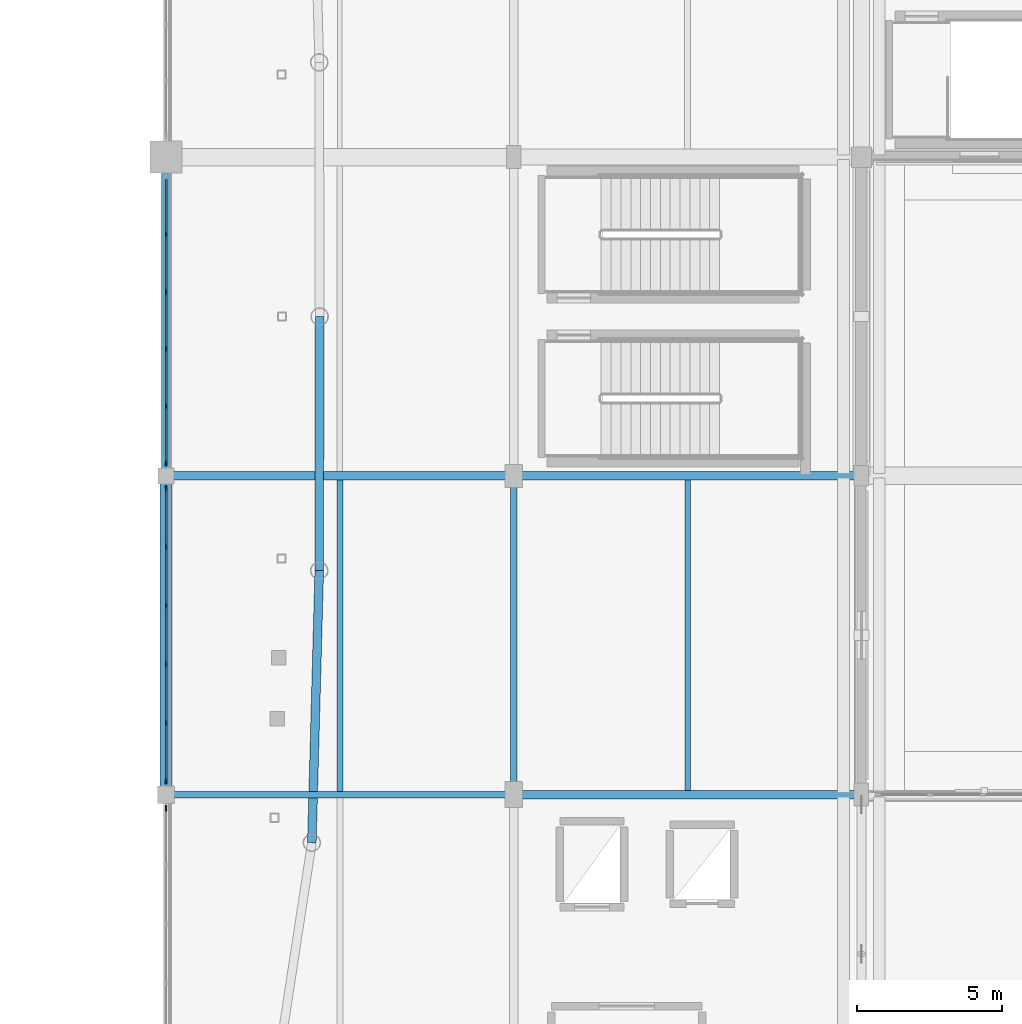
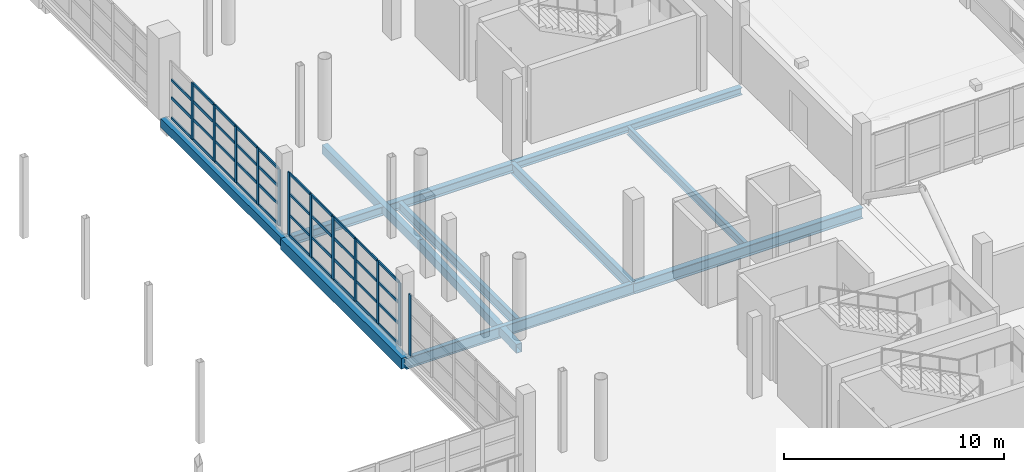
# One storey, part 54 of 118: 51 members, 11 beams, 3 elements without a shape of their own.
"""IFC4 building model written with IfcOpenShell, lengths in metres."""

import ifcopenshell
import ifcopenshell.guid

model = None  # the IFC model being written
_history = None  # IfcOwnerHistory: only IFC2X3 demands one
_inside = {}  # id of a spatial element -> (the spatial element, [elements in it])
_under = {}  # id of a project, library or spatial element -> (it, [spatial elements below it])
_declared = {}  # id of a project -> (the project, [libraries it declares])
_typed = {}  # id of a type object -> (the type object, [elements of that type])
_made_of = {}  # id of a material, layer set ... -> (it, [elements and type objects made of it])


def new_model(schema):
    """Start an empty IFC model of exactly this schema.

    Asked for "IFC4X3", IfcOpenShell would pick the latest addendum, in which some entities
    have other attributes; the version numbers below select the first issue.
    IFC2X3 requires an IfcOwnerHistory on every rooted entity: one is made here for all.
    """
    global model, _history
    if schema == "IFC4X3":
        model = ifcopenshell.file(schema_version=(4, 3, 0, 0))
    else:
        model = ifcopenshell.file(schema=schema)
    _inside.clear()
    _under.clear()
    _declared.clear()
    _typed.clear()
    _made_of.clear()
    _history = None
    if model.schema == "IFC2X3":
        org = make("IfcOrganization", Name="unknown")
        user = make(
            "IfcPersonAndOrganization",
            ThePerson=make("IfcPerson", FamilyName="unknown"),
            TheOrganization=org,
        )
        app = make(
            "IfcApplication",
            ApplicationDeveloper=org,
            Version="unknown",
            ApplicationFullName="unknown",
            ApplicationIdentifier="unknown",
        )
        _history = make(
            "IfcOwnerHistory",
            OwningUser=user,
            OwningApplication=app,
            ChangeAction="ADDED",
            CreationDate=0,
        )
    return model


def make(cls, **values):
    """One entity of the class cls with the attributes given. An attribute that is None is left unset."""
    return model.create_entity(
        cls, **{name: value for name, value in values.items() if value is not None}
    )


def rooted(cls, **values):
    """An entity with a GlobalId (a new one), such as an element, a storey or a relation."""
    return make(cls, GlobalId=ifcopenshell.guid.new(), OwnerHistory=_history, **values)


def si_unit(unit_type, name, prefix=None):
    """IfcSIUnit, for example si_unit("LENGTHUNIT", "METRE", prefix="MILLI")."""
    return make("IfcSIUnit", UnitType=unit_type, Prefix=prefix, Name=name)


def assignment(units):
    """IfcUnitAssignment: the units of a project."""
    return None if units is None else make("IfcUnitAssignment", Units=units)


def point(xyz):
    """IfcCartesianPoint."""
    return None if xyz is None else make("IfcCartesianPoint", Coordinates=xyz)


def direction(xyz):
    """IfcDirection."""
    return None if xyz is None else make("IfcDirection", DirectionRatios=xyz)


def frame(location, z_axis=None, x_axis=None):
    """IfcAxis2Placement3D, a coordinate frame: its origin and axes. An axis left out is left unset."""
    return make(
        "IfcAxis2Placement3D",
        Location=point(location),
        Axis=direction(z_axis),
        RefDirection=direction(x_axis),
    )


def frame_2d(location, x_axis=None):
    """IfcAxis2Placement2D, a coordinate frame in the plane: its origin and x axis."""
    return make(
        "IfcAxis2Placement2D", Location=point(location), RefDirection=direction(x_axis)
    )


def origin():
    """The frame at (0, 0, 0) with its axes left unset."""
    return frame((0.0, 0.0, 0.0))


def origin_2d():
    """The frame at (0, 0) in the plane with its x axis left unset."""
    return frame_2d((0.0, 0.0))


def place(relative_to, where):
    """IfcLocalPlacement: puts the frame where relative to a parent placement (None: the world)."""
    return make(
        "IfcLocalPlacement", PlacementRelTo=relative_to, RelativePlacement=where
    )


def context(
    kind, dimensions, precision=None, world=None, true_north=None, identifier=None
):
    """IfcGeometricRepresentationContext, for example the 3D "Model" context."""
    return make(
        "IfcGeometricRepresentationContext",
        ContextIdentifier=identifier,
        ContextType=kind,
        CoordinateSpaceDimension=dimensions,
        Precision=precision,
        WorldCoordinateSystem=world,
        TrueNorth=true_north,
    )


def subcontext(parent, identifier, kind, view, scale=None):
    """IfcGeometricRepresentationSubContext, for example "Body" below "Model"."""
    return make(
        "IfcGeometricRepresentationSubContext",
        ContextIdentifier=identifier,
        ContextType=kind,
        ParentContext=parent,
        TargetScale=scale,
        TargetView=view,
    )


def project(units=None, contexts=None):
    """IfcProject with its units and contexts."""
    return rooted(
        "IfcProject",
        Name="project",
        RepresentationContexts=contexts,
        UnitsInContext=assignment(units),
    )


def spatial(cls, under=None, at=None, **own):
    """A site, building, storey or space (cls), placed at a placement, below another one or the project."""
    s = rooted(cls, ObjectPlacement=at, **own)
    if under is not None:
        _under.setdefault(under.id(), (under, []))[1].append(s)
    return s


def profile(cls, at=None, kind="AREA", **sizes):
    """A parametric profile (cls). Its sizes go by their IFC names, for example OverallWidth=200.0."""
    return make(cls, ProfileType=kind, Position=at, **sizes)


def rectangle(**sizes):
    """IfcRectangleProfileDef."""
    return profile("IfcRectangleProfileDef", **sizes)


def hollow_rectangle(**sizes):
    """IfcRectangleHollowProfileDef."""
    return profile("IfcRectangleHollowProfileDef", **sizes)


def i_section(**sizes):
    """IfcIShapeProfileDef."""
    return profile("IfcIShapeProfileDef", **sizes)


def extrude(swept, where, along, depth):
    """IfcExtrudedAreaSolid: the profile swept, set in the frame where, extruded along a direction by depth."""
    return make(
        "IfcExtrudedAreaSolid",
        SweptArea=swept,
        Position=where,
        ExtrudedDirection=direction(along),
        Depth=depth,
    )


def shape(context_of_items, identifier, shape_type, items):
    """IfcShapeRepresentation: the items that make up one representation, for example the "Body"."""
    return make(
        "IfcShapeRepresentation",
        ContextOfItems=context_of_items,
        RepresentationIdentifier=identifier,
        RepresentationType=shape_type,
        Items=items,
    )


def material(Name=None, Category=None):
    """IfcMaterial."""
    return make("IfcMaterial", Name=Name, Category=Category)


def material_profile(
    of_material, cross_section, Name=None, Category=None, Priority=None
):
    """IfcMaterialProfile: a cross section and its material."""
    return make(
        "IfcMaterialProfile",
        Name=Name,
        Material=of_material,
        Profile=cross_section,
        Priority=Priority,
        Category=Category,
    )


def profile_set(profiles, Name=None, composite=None):
    """IfcMaterialProfileSet."""
    return make(
        "IfcMaterialProfileSet",
        Name=Name,
        MaterialProfiles=profiles,
        CompositeProfile=composite,
    )


def made_of(thing, what):
    """Note that an element or type object is made of a material, layer set ...; save() writes the relation."""
    if what is not None:
        _made_of.setdefault(what.id(), (what, []))[1].append(thing)
    return thing


def type_object(cls, material=None, **own):
    """A type object (cls), such as IfcWallType, which elements share."""
    return made_of(rooted(cls, **own), material)


def element(
    cls,
    number,
    at=None,
    inside=None,
    cuts=None,
    type_object=None,
    material=None,
    context=None,
    identifier="Body",
    shape_type=None,
    held_by="IfcProductDefinitionShape",
    body=None,
    shapes=None,
    **own,
):
    """One element of the class cls, such as IfcWall. Its Tag is "e" and its number.

    at: its placement. inside: the storey or other place that contains it. cuts: it is an
    opening in that element (IfcRelVoidsElement). A single representation is given by context,
    identifier, shape_type and body (its items); several are given by shapes. held_by: the class
    of the entity that holds the representations. save() writes the other relations.
    """
    e = rooted(cls, Tag="e%d" % number, ObjectPlacement=at, **own)
    if body is not None:
        shapes = [shape(context, identifier, shape_type, body)]
    if shapes is not None:
        e.Representation = make(held_by, Representations=shapes)
    if inside is not None:
        _inside.setdefault(inside.id(), (inside, []))[1].append(e)
    if cuts is not None:
        rooted(
            "IfcRelVoidsElement", RelatingBuildingElement=cuts, RelatedOpeningElement=e
        )
    if type_object is not None:
        _typed.setdefault(type_object.id(), (type_object, []))[1].append(e)
    return made_of(e, material)


def aggregate(whole, parts):
    """IfcRelAggregates: a whole, such as a stair, and the parts it consists of."""
    return rooted("IfcRelAggregates", RelatingObject=whole, RelatedObjects=parts)


def save(model, path):
    """Write the relations noted so far, then the file.

    IfcRelAggregates (storeys below a building ...), IfcRelContainedInSpatialStructure (elements
    in a storey), IfcRelDefinesByType, IfcRelAssociatesMaterial and IfcRelDeclares: one each for
    every whole, place, type object, material and project.
    """
    for whole, parts in _under.values():
        aggregate(whole, parts)
    for where, things in _inside.values():
        rooted(
            "IfcRelContainedInSpatialStructure",
            RelatedElements=things,
            RelatingStructure=where,
        )
    for kind, things in _typed.values():
        rooted("IfcRelDefinesByType", RelatedObjects=things, RelatingType=kind)
    for what, things in _made_of.values():
        rooted("IfcRelAssociatesMaterial", RelatedObjects=things, RelatingMaterial=what)
    for by, libraries in _declared.values():
        rooted("IfcRelDeclares", RelatingContext=by, RelatedDefinitions=libraries)
    model.write(path)


model = new_model("IFC4")

# Units and contexts
model_context = context("Model", 3, precision=1e-05, world=origin(), true_north=direction((0.0, 1.0)))
body_context = subcontext(model_context, "Body", "Model", "MODEL_VIEW")
ifc_project = project(units=[si_unit("LENGTHUNIT", "METRE"), si_unit("AREAUNIT", "SQUARE_METRE"), si_unit("VOLUMEUNIT", "CUBIC_METRE"), si_unit("PLANEANGLEUNIT", "RADIAN"), si_unit("MASSUNIT", "GRAM", prefix="KILO")], contexts=[model_context])

# Site, building, storey
site_placement = place(None, origin())
site = spatial("IfcSite", under=ifc_project, at=site_placement, CompositionType="ELEMENT")
building_placement = place(site_placement, origin())
building = spatial("IfcBuilding", under=site, at=building_placement, Name="Luwafu Chhajja Arena", CompositionType="ELEMENT")
storey_placement = place(building_placement, frame((0.0, 0.0, 10.199951171875)))
storey = spatial("IfcBuildingStorey", under=building, at=storey_placement, Name="L02", CompositionType="ELEMENT", Elevation=10.199951171875)

# Curtain wall, member
ifc_material_1 = material(Name="Anodised bronze aluminium", Category="aluminium")
curtain_wall_type = type_object("IfcCurtainWallType", Name="Hospitality Ring Curtain Wall", PredefinedType="USERDEFINED", material=ifc_material_1)
curtain_wall_1_placement = place(storey_placement, origin())
curtain_wall_1 = element("IfcCurtainWall", 1, at=curtain_wall_1_placement, inside=storey, type_object=curtain_wall_type, Name="L02 Bowl Viewing Curtain Wall CWR-L02-20", ObjectType="CURTAIN WALL", PredefinedType="USERDEFINED")
ifc_material_profile_1 = material_profile(ifc_material_1, rectangle(XDim=0.06494140625, YDim=0.199951171875, at=origin_2d()), Name="CWM 65x200")
ifc_profile_set_1 = profile_set([ifc_material_profile_1], Name="Anodised bronze aluminium")
member_type_1 = type_object("IfcMemberType", Name="Bronze Curtain Wall Mullion 65x200", PredefinedType="MULLION", material=ifc_profile_set_1)
member_1_placement = place(storey_placement, frame((140.0, 32.527587890625, 0.0), z_axis=(0.0, 0.0, 1.0), x_axis=(-1.0, 0.0, 0.0)))
member_1 = element("IfcMember", 2, at=member_1_placement, type_object=member_type_1, Name="CW-02 mullion 6", PredefinedType="MULLION", context=body_context, shape_type="SweptSolid", body=[
    extrude(rectangle(XDim=0.06494140625, YDim=0.199951171875, at=origin_2d()), origin(), (0.0, 0.0, 1.0), 3.39013671875),
])
aggregate(curtain_wall_1, [member_1])

# Curtain wall, members
curtain_wall_2_placement = place(storey_placement, origin())
curtain_wall_2 = element("IfcCurtainWall", 3, at=curtain_wall_2_placement, inside=storey, type_object=curtain_wall_type, Name="L02 Bowl Viewing Curtain Wall CWR-L02-21", ObjectType="CURTAIN WALL", PredefinedType="USERDEFINED")
member_2_placement = place(storey_placement, frame((140.0, 33.472412109375, 0.0), z_axis=(0.0, 0.0, 1.0), x_axis=(-1.0, 0.0, 0.0)))
member_2 = element("IfcMember", 4, at=member_2_placement, type_object=member_type_1, Name="CW-02 mullion 1", PredefinedType="MULLION", context=body_context, shape_type="SweptSolid", body=[
    extrude(rectangle(XDim=0.06494140625, YDim=0.199951171875, at=origin_2d()), origin(), (0.0, 0.0, 1.0), 3.489990234375),
])
member_3_placement = place(storey_placement, frame((140.0, 35.468994140625, 0.0), z_axis=(0.0, 0.0, 1.0), x_axis=(-1.0, 0.0, 0.0)))
member_3 = element("IfcMember", 5, at=member_3_placement, type_object=member_type_1, Name="CW-02 mullion 2", PredefinedType="MULLION", context=body_context, shape_type="SweptSolid", body=[
    extrude(rectangle(XDim=0.06494140625, YDim=0.199951171875, at=origin_2d()), origin(), (0.0, 0.0, 1.0), 3.489990234375),
])
member_4_placement = place(storey_placement, frame((140.0, 37.498046875, 0.0), z_axis=(0.0, 0.0, 1.0), x_axis=(-1.0, 0.0, 0.0)))
member_4 = element("IfcMember", 6, at=member_4_placement, type_object=member_type_1, Name="CW-02 mullion 3", PredefinedType="MULLION", context=body_context, shape_type="SweptSolid", body=[
    extrude(rectangle(XDim=0.06494140625, YDim=0.199951171875, at=origin_2d()), origin(), (0.0, 0.0, 1.0), 3.489990234375),
])
member_5_placement = place(storey_placement, frame((140.0, 39.527099609375, 0.0), z_axis=(0.0, 0.0, 1.0), x_axis=(-1.0, 0.0, 0.0)))
member_5 = element("IfcMember", 7, at=member_5_placement, type_object=member_type_1, Name="CW-02 mullion 4", PredefinedType="MULLION", context=body_context, shape_type="SweptSolid", body=[
    extrude(rectangle(XDim=0.06494140625, YDim=0.199951171875, at=origin_2d()), origin(), (0.0, 0.0, 1.0), 3.489990234375),
])
member_6_placement = place(storey_placement, frame((140.0, 41.555908203125, 0.0), z_axis=(0.0, 0.0, 1.0), x_axis=(-1.0, 0.0, 0.0)))
member_6 = element("IfcMember", 8, at=member_6_placement, type_object=member_type_1, Name="CW-02 mullion 5", PredefinedType="MULLION", context=body_context, shape_type="SweptSolid", body=[
    extrude(rectangle(XDim=0.06494140625, YDim=0.199951171875, at=origin_2d()), origin(), (0.0, 0.0, 1.0), 3.489990234375),
])
member_7_placement = place(storey_placement, frame((140.0, 43.552490234375, 0.0), z_axis=(0.0, 0.0, 1.0), x_axis=(-1.0, 0.0, 0.0)))
member_7 = element("IfcMember", 9, at=member_7_placement, type_object=member_type_1, Name="CW-02 mullion 6", PredefinedType="MULLION", context=body_context, shape_type="SweptSolid", body=[
    extrude(rectangle(XDim=0.06494140625, YDim=0.199951171875, at=origin_2d()), origin(), (0.0, 0.0, 1.0), 3.489990234375),
])

curtain_wall_3_placement = place(storey_placement, origin())
curtain_wall_3 = element("IfcCurtainWall", 10, at=curtain_wall_3_placement, inside=storey, type_object=curtain_wall_type, Name="L02 Bowl Viewing Curtain Wall CWR-L02-22", ObjectType="CURTAIN WALL", PredefinedType="USERDEFINED")
member_8_placement = place(storey_placement, frame((140.0, 44.447509765625, 0.0), z_axis=(0.0, 0.0, 1.0), x_axis=(-1.0, 0.0, 0.0)))
member_8 = element("IfcMember", 11, at=member_8_placement, type_object=member_type_1, Name="CW-02 mullion 1", PredefinedType="MULLION", context=body_context, shape_type="SweptSolid", body=[
    extrude(rectangle(XDim=0.06494140625, YDim=0.199951171875, at=origin_2d()), origin(), (0.0, 0.0, 1.0), 3.14013671875),
])
member_9_placement = place(storey_placement, frame((140.0, 46.39404296875, 0.0), z_axis=(0.0, 0.0, 1.0), x_axis=(-1.0, 0.0, 0.0)))
member_9 = element("IfcMember", 12, at=member_9_placement, type_object=member_type_1, Name="CW-02 mullion 2", PredefinedType="MULLION", context=body_context, shape_type="SweptSolid", body=[
    extrude(rectangle(XDim=0.06494140625, YDim=0.199951171875, at=origin_2d()), origin(), (0.0, 0.0, 1.0), 3.14013671875),
])
member_10_placement = place(storey_placement, frame((140.0, 48.373046875, 0.0), z_axis=(0.0, 0.0, 1.0), x_axis=(-1.0, 0.0, 0.0)))
member_10 = element("IfcMember", 13, at=member_10_placement, type_object=member_type_1, Name="CW-02 mullion 3", PredefinedType="MULLION", context=body_context, shape_type="SweptSolid", body=[
    extrude(rectangle(XDim=0.06494140625, YDim=0.199951171875, at=origin_2d()), origin(), (0.0, 0.0, 1.0), 3.14013671875),
])
member_11_placement = place(storey_placement, frame((140.0, 50.35205078125, 0.0), z_axis=(0.0, 0.0, 1.0), x_axis=(-1.0, 0.0, 0.0)))
member_11 = element("IfcMember", 14, at=member_11_placement, type_object=member_type_1, Name="CW-02 mullion 4", PredefinedType="MULLION", context=body_context, shape_type="SweptSolid", body=[
    extrude(rectangle(XDim=0.06494140625, YDim=0.199951171875, at=origin_2d()), origin(), (0.0, 0.0, 1.0), 3.14013671875),
])
member_12_placement = place(storey_placement, frame((140.0, 52.3310546875, 0.0), z_axis=(0.0, 0.0, 1.0), x_axis=(-1.0, 0.0, 0.0)))
member_12 = element("IfcMember", 15, at=member_12_placement, type_object=member_type_1, Name="CW-02 mullion 5", PredefinedType="MULLION", context=body_context, shape_type="SweptSolid", body=[
    extrude(rectangle(XDim=0.06494140625, YDim=0.199951171875, at=origin_2d()), origin(), (0.0, 0.0, 1.0), 3.14013671875),
])

# Member
ifc_material_profile_2 = material_profile(ifc_material_1, rectangle(XDim=0.06494140625, YDim=0.14990234375, at=origin_2d()), Name="CWT 65x150")
ifc_profile_set_2 = profile_set([ifc_material_profile_2], Name="Anodised bronze aluminium")
member_type_2 = type_object("IfcMemberType", Name="Bronze Curtain Wall Transom 65x150", PredefinedType="USERDEFINED", material=ifc_profile_set_2)
member_13_placement = place(storey_placement, frame((140.0, 33.5048828125, 0.032470703125), z_axis=(0.0, 1.0, 0.0), x_axis=(-1.0, 0.0, 0.0)))
member_13 = element("IfcMember", 16, at=member_13_placement, type_object=member_type_2, Name="CW-02 transom 1.1", ObjectType="TRANSOM", PredefinedType="USERDEFINED", context=body_context, shape_type="SweptSolid", body=[
    extrude(rectangle(XDim=0.06494140625, YDim=0.14990234375, at=origin_2d()), origin(), (0.0, 0.0, 1.0), 1.931640625),
])

member_14_placement = place(storey_placement, frame((140.0, 33.5048828125, 1.150146484375), z_axis=(0.0, 1.0, 0.0), x_axis=(-1.0, 0.0, 0.0)))
member_14 = element("IfcMember", 17, at=member_14_placement, type_object=member_type_2, Name="CW-02 transom 1.2", ObjectType="TRANSOM", PredefinedType="USERDEFINED", context=body_context, shape_type="SweptSolid", body=[
    extrude(rectangle(XDim=0.06494140625, YDim=0.14990234375, at=origin_2d()), origin(), (0.0, 0.0, 1.0), 1.931640625),
])

member_15_placement = place(storey_placement, frame((140.0, 33.5048828125, 2.320068359375), z_axis=(0.0, 1.0, 0.0), x_axis=(-1.0, 0.0, 0.0)))
member_15 = element("IfcMember", 18, at=member_15_placement, type_object=member_type_2, Name="CW-02 transom 1.3", ObjectType="TRANSOM", PredefinedType="USERDEFINED", context=body_context, shape_type="SweptSolid", body=[
    extrude(rectangle(XDim=0.06494140625, YDim=0.14990234375, at=origin_2d()), origin(), (0.0, 0.0, 1.0), 1.931640625),
])

member_16_placement = place(storey_placement, frame((140.0, 33.5048828125, 3.45751953125), z_axis=(0.0, 1.0, 0.0), x_axis=(-1.0, 0.0, 0.0)))
member_16 = element("IfcMember", 19, at=member_16_placement, type_object=member_type_2, Name="CW-02 transom 1.4", ObjectType="TRANSOM", PredefinedType="USERDEFINED", context=body_context, shape_type="SweptSolid", body=[
    extrude(rectangle(XDim=0.06494140625, YDim=0.14990234375, at=origin_2d()), origin(), (0.0, 0.0, 1.0), 1.931640625),
])

member_17_placement = place(storey_placement, frame((140.0, 35.50146484375, 0.032470703125), z_axis=(0.0, 1.0, 0.0), x_axis=(-1.0, 0.0, 0.0)))
member_17 = element("IfcMember", 20, at=member_17_placement, type_object=member_type_2, Name="CW-02 transom 2.1", ObjectType="TRANSOM", PredefinedType="USERDEFINED", context=body_context, shape_type="SweptSolid", body=[
    extrude(rectangle(XDim=0.06494140625, YDim=0.14990234375, at=origin_2d()), origin(), (0.0, 0.0, 1.0), 1.964111328125),
])

member_18_placement = place(storey_placement, frame((140.0, 35.50146484375, 1.150146484375), z_axis=(0.0, 1.0, 0.0), x_axis=(-1.0, 0.0, 0.0)))
member_18 = element("IfcMember", 21, at=member_18_placement, type_object=member_type_2, Name="CW-02 transom 2.2", ObjectType="TRANSOM", PredefinedType="USERDEFINED", context=body_context, shape_type="SweptSolid", body=[
    extrude(rectangle(XDim=0.06494140625, YDim=0.14990234375, at=origin_2d()), origin(), (0.0, 0.0, 1.0), 1.964111328125),
])

member_19_placement = place(storey_placement, frame((140.0, 35.50146484375, 2.320068359375), z_axis=(0.0, 1.0, 0.0), x_axis=(-1.0, 0.0, 0.0)))
member_19 = element("IfcMember", 22, at=member_19_placement, type_object=member_type_2, Name="CW-02 transom 2.3", ObjectType="TRANSOM", PredefinedType="USERDEFINED", context=body_context, shape_type="SweptSolid", body=[
    extrude(rectangle(XDim=0.06494140625, YDim=0.14990234375, at=origin_2d()), origin(), (0.0, 0.0, 1.0), 1.964111328125),
])

member_20_placement = place(storey_placement, frame((140.0, 35.50146484375, 3.45751953125), z_axis=(0.0, 1.0, 0.0), x_axis=(-1.0, 0.0, 0.0)))
member_20 = element("IfcMember", 23, at=member_20_placement, type_object=member_type_2, Name="CW-02 transom 2.4", ObjectType="TRANSOM", PredefinedType="USERDEFINED", context=body_context, shape_type="SweptSolid", body=[
    extrude(rectangle(XDim=0.06494140625, YDim=0.14990234375, at=origin_2d()), origin(), (0.0, 0.0, 1.0), 1.964111328125),
])

member_21_placement = place(storey_placement, frame((140.0, 37.530517578125, 0.032470703125), z_axis=(0.0, 1.0, 0.0), x_axis=(-1.0, 0.0, 0.0)))
member_21 = element("IfcMember", 24, at=member_21_placement, type_object=member_type_2, Name="CW-02 transom 3.1", ObjectType="TRANSOM", PredefinedType="USERDEFINED", context=body_context, shape_type="SweptSolid", body=[
    extrude(rectangle(XDim=0.06494140625, YDim=0.14990234375, at=origin_2d()), origin(), (0.0, 0.0, 1.0), 1.9638671875),
])

member_22_placement = place(storey_placement, frame((140.0, 37.530517578125, 1.150146484375), z_axis=(0.0, 1.0, 0.0), x_axis=(-1.0, 0.0, 0.0)))
member_22 = element("IfcMember", 25, at=member_22_placement, type_object=member_type_2, Name="CW-02 transom 3.2", ObjectType="TRANSOM", PredefinedType="USERDEFINED", context=body_context, shape_type="SweptSolid", body=[
    extrude(rectangle(XDim=0.06494140625, YDim=0.14990234375, at=origin_2d()), origin(), (0.0, 0.0, 1.0), 1.9638671875),
])

member_23_placement = place(storey_placement, frame((140.0, 37.530517578125, 2.320068359375), z_axis=(0.0, 1.0, 0.0), x_axis=(-1.0, 0.0, 0.0)))
member_23 = element("IfcMember", 26, at=member_23_placement, type_object=member_type_2, Name="CW-02 transom 3.3", ObjectType="TRANSOM", PredefinedType="USERDEFINED", context=body_context, shape_type="SweptSolid", body=[
    extrude(rectangle(XDim=0.06494140625, YDim=0.14990234375, at=origin_2d()), origin(), (0.0, 0.0, 1.0), 1.9638671875),
])

member_24_placement = place(storey_placement, frame((140.0, 37.530517578125, 3.45751953125), z_axis=(0.0, 1.0, 0.0), x_axis=(-1.0, 0.0, 0.0)))
member_24 = element("IfcMember", 27, at=member_24_placement, type_object=member_type_2, Name="CW-02 transom 3.4", ObjectType="TRANSOM", PredefinedType="USERDEFINED", context=body_context, shape_type="SweptSolid", body=[
    extrude(rectangle(XDim=0.06494140625, YDim=0.14990234375, at=origin_2d()), origin(), (0.0, 0.0, 1.0), 1.9638671875),
])

member_25_placement = place(storey_placement, frame((140.0, 39.5595703125, 0.032470703125), z_axis=(0.0, 1.0, 0.0), x_axis=(-1.0, 0.0, 0.0)))
member_25 = element("IfcMember", 28, at=member_25_placement, type_object=member_type_2, Name="CW-02 transom 4.1", ObjectType="TRANSOM", PredefinedType="USERDEFINED", context=body_context, shape_type="SweptSolid", body=[
    extrude(rectangle(XDim=0.06494140625, YDim=0.14990234375, at=origin_2d()), origin(), (0.0, 0.0, 1.0), 1.9638671875),
])

member_26_placement = place(storey_placement, frame((140.0, 39.5595703125, 1.150146484375), z_axis=(0.0, 1.0, 0.0), x_axis=(-1.0, 0.0, 0.0)))
member_26 = element("IfcMember", 29, at=member_26_placement, type_object=member_type_2, Name="CW-02 transom 4.2", ObjectType="TRANSOM", PredefinedType="USERDEFINED", context=body_context, shape_type="SweptSolid", body=[
    extrude(rectangle(XDim=0.06494140625, YDim=0.14990234375, at=origin_2d()), origin(), (0.0, 0.0, 1.0), 1.9638671875),
])

member_27_placement = place(storey_placement, frame((140.0, 39.5595703125, 2.320068359375), z_axis=(0.0, 1.0, 0.0), x_axis=(-1.0, 0.0, 0.0)))
member_27 = element("IfcMember", 30, at=member_27_placement, type_object=member_type_2, Name="CW-02 transom 4.3", ObjectType="TRANSOM", PredefinedType="USERDEFINED", context=body_context, shape_type="SweptSolid", body=[
    extrude(rectangle(XDim=0.06494140625, YDim=0.14990234375, at=origin_2d()), origin(), (0.0, 0.0, 1.0), 1.9638671875),
])

member_28_placement = place(storey_placement, frame((140.0, 39.5595703125, 3.45751953125), z_axis=(0.0, 1.0, 0.0), x_axis=(-1.0, 0.0, 0.0)))
member_28 = element("IfcMember", 31, at=member_28_placement, type_object=member_type_2, Name="CW-02 transom 4.4", ObjectType="TRANSOM", PredefinedType="USERDEFINED", context=body_context, shape_type="SweptSolid", body=[
    extrude(rectangle(XDim=0.06494140625, YDim=0.14990234375, at=origin_2d()), origin(), (0.0, 0.0, 1.0), 1.9638671875),
])

member_29_placement = place(storey_placement, frame((140.0, 41.58837890625, 0.032470703125), z_axis=(0.0, 1.0, 0.0), x_axis=(-1.0, 0.0, 0.0)))
member_29 = element("IfcMember", 32, at=member_29_placement, type_object=member_type_2, Name="CW-02 transom 5.1", ObjectType="TRANSOM", PredefinedType="USERDEFINED", context=body_context, shape_type="SweptSolid", body=[
    extrude(rectangle(XDim=0.06494140625, YDim=0.14990234375, at=origin_2d()), origin(), (0.0, 0.0, 1.0), 1.931640625),
])

member_30_placement = place(storey_placement, frame((140.0, 41.58837890625, 1.150146484375), z_axis=(0.0, 1.0, 0.0), x_axis=(-1.0, 0.0, 0.0)))
member_30 = element("IfcMember", 33, at=member_30_placement, type_object=member_type_2, Name="CW-02 transom 5.2", ObjectType="TRANSOM", PredefinedType="USERDEFINED", context=body_context, shape_type="SweptSolid", body=[
    extrude(rectangle(XDim=0.06494140625, YDim=0.14990234375, at=origin_2d()), origin(), (0.0, 0.0, 1.0), 1.931640625),
])

member_31_placement = place(storey_placement, frame((140.0, 41.58837890625, 2.320068359375), z_axis=(0.0, 1.0, 0.0), x_axis=(-1.0, 0.0, 0.0)))
member_31 = element("IfcMember", 34, at=member_31_placement, type_object=member_type_2, Name="CW-02 transom 5.3", ObjectType="TRANSOM", PredefinedType="USERDEFINED", context=body_context, shape_type="SweptSolid", body=[
    extrude(rectangle(XDim=0.06494140625, YDim=0.14990234375, at=origin_2d()), origin(), (0.0, 0.0, 1.0), 1.931640625),
])

member_32_placement = place(storey_placement, frame((140.0, 41.58837890625, 3.45751953125), z_axis=(0.0, 1.0, 0.0), x_axis=(-1.0, 0.0, 0.0)))
member_32 = element("IfcMember", 35, at=member_32_placement, type_object=member_type_2, Name="CW-02 transom 5.4", ObjectType="TRANSOM", PredefinedType="USERDEFINED", context=body_context, shape_type="SweptSolid", body=[
    extrude(rectangle(XDim=0.06494140625, YDim=0.14990234375, at=origin_2d()), origin(), (0.0, 0.0, 1.0), 1.931640625),
])

aggregate(curtain_wall_2, [member_2, member_3, member_4, member_5, member_6, member_7, member_13, member_14, member_15, member_16, member_17, member_18, member_19, member_20, member_21, member_22, member_23, member_24, member_25, member_26, member_27, member_28, member_29, member_30, member_31, member_32])

member_33_placement = place(storey_placement, frame((140.0, 44.47998046875, 0.032470703125), z_axis=(0.0, 1.0, 0.0), x_axis=(-1.0, 0.0, 0.0)))
member_33 = element("IfcMember", 36, at=member_33_placement, type_object=member_type_2, Name="CW-02 transom 1.1", ObjectType="TRANSOM", PredefinedType="USERDEFINED", context=body_context, shape_type="SweptSolid", body=[
    extrude(rectangle(XDim=0.06494140625, YDim=0.14990234375, at=origin_2d()), origin(), (0.0, 0.0, 1.0), 1.881591796875),
])

member_34_placement = place(storey_placement, frame((140.0, 44.47998046875, 1.150146484375), z_axis=(0.0, 1.0, 0.0), x_axis=(-1.0, 0.0, 0.0)))
member_34 = element("IfcMember", 37, at=member_34_placement, type_object=member_type_2, Name="CW-02 transom 1.2", ObjectType="TRANSOM", PredefinedType="USERDEFINED", context=body_context, shape_type="SweptSolid", body=[
    extrude(rectangle(XDim=0.06494140625, YDim=0.14990234375, at=origin_2d()), origin(), (0.0, 0.0, 1.0), 1.881591796875),
])

member_35_placement = place(storey_placement, frame((140.0, 44.47998046875, 2.14501953125), z_axis=(0.0, 1.0, 0.0), x_axis=(-1.0, 0.0, 0.0)))
member_35 = element("IfcMember", 38, at=member_35_placement, type_object=member_type_2, Name="CW-02 transom 1.3", ObjectType="TRANSOM", PredefinedType="USERDEFINED", context=body_context, shape_type="SweptSolid", body=[
    extrude(rectangle(XDim=0.06494140625, YDim=0.14990234375, at=origin_2d()), origin(), (0.0, 0.0, 1.0), 1.881591796875),
])

member_36_placement = place(storey_placement, frame((140.0, 44.47998046875, 3.107666015625), z_axis=(0.0, 1.0, 0.0), x_axis=(-1.0, 0.0, 0.0)))
member_36 = element("IfcMember", 39, at=member_36_placement, type_object=member_type_2, Name="CW-02 transom 1.4", ObjectType="TRANSOM", PredefinedType="USERDEFINED", context=body_context, shape_type="SweptSolid", body=[
    extrude(rectangle(XDim=0.06494140625, YDim=0.14990234375, at=origin_2d()), origin(), (0.0, 0.0, 1.0), 1.881591796875),
])

member_37_placement = place(storey_placement, frame((140.0, 46.426513671875, 0.032470703125), z_axis=(0.0, 1.0, 0.0), x_axis=(-1.0, 0.0, 0.0)))
member_37 = element("IfcMember", 40, at=member_37_placement, type_object=member_type_2, Name="CW-02 transom 2.1", ObjectType="TRANSOM", PredefinedType="USERDEFINED", context=body_context, shape_type="SweptSolid", body=[
    extrude(rectangle(XDim=0.06494140625, YDim=0.14990234375, at=origin_2d()), origin(), (0.0, 0.0, 1.0), 1.9140625),
])

member_38_placement = place(storey_placement, frame((140.0, 46.426513671875, 1.150146484375), z_axis=(0.0, 1.0, 0.0), x_axis=(-1.0, 0.0, 0.0)))
member_38 = element("IfcMember", 41, at=member_38_placement, type_object=member_type_2, Name="CW-02 transom 2.2", ObjectType="TRANSOM", PredefinedType="USERDEFINED", context=body_context, shape_type="SweptSolid", body=[
    extrude(rectangle(XDim=0.06494140625, YDim=0.14990234375, at=origin_2d()), origin(), (0.0, 0.0, 1.0), 1.9140625),
])

member_39_placement = place(storey_placement, frame((140.0, 46.426513671875, 2.14501953125), z_axis=(0.0, 1.0, 0.0), x_axis=(-1.0, 0.0, 0.0)))
member_39 = element("IfcMember", 42, at=member_39_placement, type_object=member_type_2, Name="CW-02 transom 2.3", ObjectType="TRANSOM", PredefinedType="USERDEFINED", context=body_context, shape_type="SweptSolid", body=[
    extrude(rectangle(XDim=0.06494140625, YDim=0.14990234375, at=origin_2d()), origin(), (0.0, 0.0, 1.0), 1.9140625),
])

member_40_placement = place(storey_placement, frame((140.0, 46.426513671875, 3.107666015625), z_axis=(0.0, 1.0, 0.0), x_axis=(-1.0, 0.0, 0.0)))
member_40 = element("IfcMember", 43, at=member_40_placement, type_object=member_type_2, Name="CW-02 transom 2.4", ObjectType="TRANSOM", PredefinedType="USERDEFINED", context=body_context, shape_type="SweptSolid", body=[
    extrude(rectangle(XDim=0.06494140625, YDim=0.14990234375, at=origin_2d()), origin(), (0.0, 0.0, 1.0), 1.9140625),
])

member_41_placement = place(storey_placement, frame((140.0, 48.405517578125, 0.032470703125), z_axis=(0.0, 1.0, 0.0), x_axis=(-1.0, 0.0, 0.0)))
member_41 = element("IfcMember", 44, at=member_41_placement, type_object=member_type_2, Name="CW-02 transom 3.1", ObjectType="TRANSOM", PredefinedType="USERDEFINED", context=body_context, shape_type="SweptSolid", body=[
    extrude(rectangle(XDim=0.06494140625, YDim=0.14990234375, at=origin_2d()), origin(), (0.0, 0.0, 1.0), 1.9140625),
])

member_42_placement = place(storey_placement, frame((140.0, 48.405517578125, 1.150146484375), z_axis=(0.0, 1.0, 0.0), x_axis=(-1.0, 0.0, 0.0)))
member_42 = element("IfcMember", 45, at=member_42_placement, type_object=member_type_2, Name="CW-02 transom 3.2", ObjectType="TRANSOM", PredefinedType="USERDEFINED", context=body_context, shape_type="SweptSolid", body=[
    extrude(rectangle(XDim=0.06494140625, YDim=0.14990234375, at=origin_2d()), origin(), (0.0, 0.0, 1.0), 1.9140625),
])

member_43_placement = place(storey_placement, frame((140.0, 48.405517578125, 2.14501953125), z_axis=(0.0, 1.0, 0.0), x_axis=(-1.0, 0.0, 0.0)))
member_43 = element("IfcMember", 46, at=member_43_placement, type_object=member_type_2, Name="CW-02 transom 3.3", ObjectType="TRANSOM", PredefinedType="USERDEFINED", context=body_context, shape_type="SweptSolid", body=[
    extrude(rectangle(XDim=0.06494140625, YDim=0.14990234375, at=origin_2d()), origin(), (0.0, 0.0, 1.0), 1.9140625),
])

member_44_placement = place(storey_placement, frame((140.0, 48.405517578125, 3.107666015625), z_axis=(0.0, 1.0, 0.0), x_axis=(-1.0, 0.0, 0.0)))
member_44 = element("IfcMember", 47, at=member_44_placement, type_object=member_type_2, Name="CW-02 transom 3.4", ObjectType="TRANSOM", PredefinedType="USERDEFINED", context=body_context, shape_type="SweptSolid", body=[
    extrude(rectangle(XDim=0.06494140625, YDim=0.14990234375, at=origin_2d()), origin(), (0.0, 0.0, 1.0), 1.9140625),
])

member_45_placement = place(storey_placement, frame((140.0, 50.384521484375, 0.032470703125), z_axis=(0.0, 1.0, 0.0), x_axis=(-1.0, 0.0, 0.0)))
member_45 = element("IfcMember", 48, at=member_45_placement, type_object=member_type_2, Name="CW-02 transom 4.1", ObjectType="TRANSOM", PredefinedType="USERDEFINED", context=body_context, shape_type="SweptSolid", body=[
    extrude(rectangle(XDim=0.06494140625, YDim=0.14990234375, at=origin_2d()), origin(), (0.0, 0.0, 1.0), 1.9140625),
])

member_46_placement = place(storey_placement, frame((140.0, 50.384521484375, 1.150146484375), z_axis=(0.0, 1.0, 0.0), x_axis=(-1.0, 0.0, 0.0)))
member_46 = element("IfcMember", 49, at=member_46_placement, type_object=member_type_2, Name="CW-02 transom 4.2", ObjectType="TRANSOM", PredefinedType="USERDEFINED", context=body_context, shape_type="SweptSolid", body=[
    extrude(rectangle(XDim=0.06494140625, YDim=0.14990234375, at=origin_2d()), origin(), (0.0, 0.0, 1.0), 1.9140625),
])

member_47_placement = place(storey_placement, frame((140.0, 50.384521484375, 2.14501953125), z_axis=(0.0, 1.0, 0.0), x_axis=(-1.0, 0.0, 0.0)))
member_47 = element("IfcMember", 50, at=member_47_placement, type_object=member_type_2, Name="CW-02 transom 4.3", ObjectType="TRANSOM", PredefinedType="USERDEFINED", context=body_context, shape_type="SweptSolid", body=[
    extrude(rectangle(XDim=0.06494140625, YDim=0.14990234375, at=origin_2d()), origin(), (0.0, 0.0, 1.0), 1.9140625),
])

member_48_placement = place(storey_placement, frame((140.0, 50.384521484375, 3.107666015625), z_axis=(0.0, 1.0, 0.0), x_axis=(-1.0, 0.0, 0.0)))
member_48 = element("IfcMember", 51, at=member_48_placement, type_object=member_type_2, Name="CW-02 transom 4.4", ObjectType="TRANSOM", PredefinedType="USERDEFINED", context=body_context, shape_type="SweptSolid", body=[
    extrude(rectangle(XDim=0.06494140625, YDim=0.14990234375, at=origin_2d()), origin(), (0.0, 0.0, 1.0), 1.9140625),
])

member_49_placement = place(storey_placement, frame((140.0, 52.363525390625, 0.032470703125), z_axis=(0.0, 1.0, 0.0), x_axis=(-1.0, 0.0, 0.0)))
member_49 = element("IfcMember", 52, at=member_49_placement, type_object=member_type_2, Name="CW-02 transom 5.1", ObjectType="TRANSOM", PredefinedType="USERDEFINED", context=body_context, shape_type="SweptSolid", body=[
    extrude(rectangle(XDim=0.06494140625, YDim=0.14990234375, at=origin_2d()), origin(), (0.0, 0.0, 1.0), 1.881591796875),
])

member_50_placement = place(storey_placement, frame((140.0, 52.363525390625, 1.150146484375), z_axis=(0.0, 1.0, 0.0), x_axis=(-1.0, 0.0, 0.0)))
member_50 = element("IfcMember", 53, at=member_50_placement, type_object=member_type_2, Name="CW-02 transom 5.2", ObjectType="TRANSOM", PredefinedType="USERDEFINED", context=body_context, shape_type="SweptSolid", body=[
    extrude(rectangle(XDim=0.06494140625, YDim=0.14990234375, at=origin_2d()), origin(), (0.0, 0.0, 1.0), 1.881591796875),
])

member_51_placement = place(storey_placement, frame((140.0, 52.363525390625, 2.14501953125), z_axis=(0.0, 1.0, 0.0), x_axis=(-1.0, 0.0, 0.0)))
member_51 = element("IfcMember", 54, at=member_51_placement, type_object=member_type_2, Name="CW-02 transom 5.3", ObjectType="TRANSOM", PredefinedType="USERDEFINED", context=body_context, shape_type="SweptSolid", body=[
    extrude(rectangle(XDim=0.06494140625, YDim=0.14990234375, at=origin_2d()), origin(), (0.0, 0.0, 1.0), 1.881591796875),
])

aggregate(curtain_wall_3, [member_8, member_9, member_10, member_11, member_12, member_33, member_34, member_35, member_36, member_37, member_38, member_39, member_40, member_41, member_42, member_43, member_44, member_45, member_46, member_47, member_48, member_49, member_50, member_51])

# Beams
ifc_material_2 = material(Name="Steel S355", Category="steel")
ifc_material_profile_3 = material_profile(ifc_material_2, i_section(OverallWidth=0.19140625, OverallDepth=0.4599609375, WebThickness=0.010009765625, FlangeThickness=0.01611328125, at=origin_2d()), Name="UB 457x191x82")
ifc_profile_set_3 = profile_set([ifc_material_profile_3], Name="Steel S355")
beam_type_1 = type_object("IfcBeamType", Name="Floor Joist UB 457x191x82", PredefinedType="JOIST", material=ifc_profile_set_3)
beam_1_placement = place(storey_placement, frame((158.0, 33.14990234375, -0.619873046875), z_axis=(0.0, 1.0, 0.0), x_axis=(-1.0, 0.0, 0.0)))
element("IfcBeam", 55, at=beam_1_placement, inside=storey, type_object=beam_type_1, Name="L02 Secondary Joist 14-15/D", PredefinedType="JOIST", context=body_context, shape_type="SweptSolid", body=[
    extrude(i_section(OverallWidth=0.19140625, OverallDepth=0.4599609375, WebThickness=0.010009765625, FlangeThickness=0.01611328125, at=origin_2d()), origin(), (0.0, 0.0, 1.0), 10.7001953125),
])
ifc_material_profile_4 = material_profile(ifc_material_2, i_section(OverallWidth=0.209228515625, OverallDepth=0.533203125, WebThickness=0.010009765625, FlangeThickness=0.015625, at=origin_2d()), Name="UB 533x210x92")
ifc_profile_set_4 = profile_set([ifc_material_profile_4], Name="Steel S355")
beam_type_2 = type_object("IfcBeamType", Name="Floor Joist UB 533x210x92", PredefinedType="JOIST", material=ifc_profile_set_4)
beam_2_placement = place(storey_placement, frame((146.0, 33.114501953125, -0.656494140625), z_axis=(0.0, 1.0, 0.0), x_axis=(-1.0, 0.0, 0.0)))
element("IfcBeam", 56, at=beam_2_placement, inside=storey, type_object=beam_type_2, Name="L02 Secondary Joist 13-14/D", PredefinedType="JOIST", context=body_context, shape_type="SweptSolid", body=[
    extrude(i_section(OverallWidth=0.209228515625, OverallDepth=0.533203125, WebThickness=0.010009765625, FlangeThickness=0.015625, at=origin_2d()), origin(), (0.0, 0.0, 1.0), 10.735595703125),
])
ifc_material_profile_5 = material_profile(ifc_material_2, hollow_rectangle(XDim=0.300048828125, YDim=0.5, WallThickness=0.02001953125, at=origin_2d()), Name="RHS 500x300x20")
ifc_profile_set_5 = profile_set([ifc_material_profile_5], Name="Steel S355")
beam_type_3 = type_object("IfcBeamType", Name="Pleated Drum Spandrel Beam RHS 500x300", PredefinedType="SPANDREL", material=ifc_profile_set_5)
beam_3_placement = place(storey_placement, frame((140.0, 44.0, -0.639892578125), z_axis=(0.0, 1.0, 0.0), x_axis=(-1.0, 0.0, 0.0)))
element("IfcBeam", 57, at=beam_3_placement, inside=storey, type_object=beam_type_3, Name="L02 Grid Beam 13/E-F", PredefinedType="SPANDREL", context=body_context, shape_type="SweptSolid", body=[
    extrude(hollow_rectangle(XDim=0.300048828125, YDim=0.5, WallThickness=0.02001953125, at=origin_2d()), origin(), (0.0, 0.0, 1.0), 11.0),
])
beam_4_placement = place(storey_placement, frame((145.031982421875, 31.3388671875, -0.639892578125), z_axis=(0.02720805866, 0.999629792245, 0.0), x_axis=(-0.999629792245, 0.02720805866, 0.0)))
element("IfcBeam", 58, at=beam_4_placement, inside=storey, type_object=beam_type_3, Name="L02 Drum Ring Spandrel D31-D32", PredefinedType="SPANDREL", context=body_context, shape_type="SweptSolid", body=[
    extrude(hollow_rectangle(XDim=0.300048828125, YDim=0.5, WallThickness=0.02001953125, at=origin_2d()), origin(), (0.0, 0.0, 1.0), 9.394775390625),
])
beam_5_placement = place(storey_placement, frame((145.28759765625, 40.730224609375, -0.639892578125), z_axis=(0.001419780869, 0.999998992111, 0.0), x_axis=(-0.999998992111, 0.001419780869, 0.0)))
element("IfcBeam", 59, at=beam_5_placement, inside=storey, type_object=beam_type_3, Name="L02 Drum Ring Spandrel D32-D01", PredefinedType="SPANDREL", context=body_context, shape_type="SweptSolid", body=[
    extrude(hollow_rectangle(XDim=0.300048828125, YDim=0.5, WallThickness=0.02001953125, at=origin_2d()), origin(), (0.0, 0.0, 1.0), 8.769775390625),
])
ifc_material_3 = material(Name="Concrete C35/45", Category="concrete")
ifc_material_profile_6 = material_profile(ifc_material_3, rectangle(XDim=0.39990234375, YDim=0.60009765625, at=origin_2d()), Name="RC 400x600")
ifc_profile_set_6 = profile_set([ifc_material_profile_6], Name="Concrete C35/45")
beam_type_4 = type_object("IfcBeamType", Name="Podium Perimeter Spandrel RC 400x600", PredefinedType="SPANDREL", material=ifc_profile_set_6)
beam_6_placement = place(storey_placement, frame((140.0, 33.0, -0.68994140625), z_axis=(0.0, 1.0, 0.0), x_axis=(-1.0, 0.0, 0.0)))
element("IfcBeam", 60, at=beam_6_placement, inside=storey, type_object=beam_type_4, Name="L02 Grid Beam 13/D-E", PredefinedType="SPANDREL", context=body_context, shape_type="SweptSolid", body=[
    extrude(rectangle(XDim=0.39990234375, YDim=0.60009765625, at=origin_2d()), origin(), (0.0, 0.0, 1.0), 11.0),
])
ifc_material_profile_7 = material_profile(ifc_material_2, i_section(OverallWidth=0.300048828125, OverallDepth=0.5, WebThickness=0.014404296875, FlangeThickness=0.028076171875, at=origin_2d()), Name="HEB 500")
ifc_profile_set_7 = profile_set([ifc_material_profile_7], Name="Steel S355")
beam_type_5 = type_object("IfcBeamType", Name="Steel Atrium Tie Girder HEB 500", PredefinedType="BEAM", material=ifc_profile_set_7)
beam_7_placement = place(storey_placement, frame((140.0, 44.0, -0.639892578125), z_axis=(1.0, 0.0, 0.0), x_axis=(0.0, 1.0, 0.0)))
element("IfcBeam", 61, at=beam_7_placement, inside=storey, type_object=beam_type_5, Name="L02 Grid Beam 13-14/E", PredefinedType="BEAM", context=body_context, shape_type="SweptSolid", body=[
    extrude(i_section(OverallWidth=0.300048828125, OverallDepth=0.5, WebThickness=0.014404296875, FlangeThickness=0.028076171875, at=origin_2d()), origin(), (0.0, 0.0, 1.0), 12.0),
])
ifc_material_profile_8 = material_profile(ifc_material_2, i_section(OverallWidth=0.300048828125, OverallDepth=0.60009765625, WebThickness=0.015380859375, FlangeThickness=0.030029296875, at=origin_2d()), Name="HEB 600")
ifc_profile_set_8 = profile_set([ifc_material_profile_8], Name="Steel S355")
beam_type_6 = type_object("IfcBeamType", Name="Steel Gallery Girder HEB 600", PredefinedType="BEAM", material=ifc_profile_set_8)
beam_8_placement = place(storey_placement, frame((152.0, 33.0, -0.68994140625), z_axis=(1.0, 0.0, 0.0), x_axis=(0.0, 1.0, 0.0)))
element("IfcBeam", 62, at=beam_8_placement, inside=storey, type_object=beam_type_6, Name="L02 Grid Beam 14-15/D", PredefinedType="BEAM", context=body_context, shape_type="SweptSolid", body=[
    extrude(i_section(OverallWidth=0.300048828125, OverallDepth=0.60009765625, WebThickness=0.015380859375, FlangeThickness=0.030029296875, at=origin_2d()), origin(), (0.0, 0.0, 1.0), 12.0),
])
ifc_material_profile_9 = material_profile(ifc_material_2, i_section(OverallWidth=0.22900390625, OverallDepth=0.6123046875, WebThickness=0.011962890625, FlangeThickness=0.01953125, at=origin_2d()), Name="UB 610x229x125")
ifc_profile_set_9 = profile_set([ifc_material_profile_9], Name="Steel S355")
beam_type_7 = type_object("IfcBeamType", Name="Steel Mezzanine Girder UB 610x229x125", PredefinedType="BEAM", material=ifc_profile_set_9)
beam_9_placement = place(storey_placement, frame((140.0, 33.0, -0.696044921875), z_axis=(1.0, 0.0, 0.0), x_axis=(0.0, 1.0, 0.0)))
element("IfcBeam", 63, at=beam_9_placement, inside=storey, type_object=beam_type_7, Name="L02 Grid Beam 13-14/D", PredefinedType="BEAM", context=body_context, shape_type="SweptSolid", body=[
    extrude(i_section(OverallWidth=0.22900390625, OverallDepth=0.6123046875, WebThickness=0.011962890625, FlangeThickness=0.01953125, at=origin_2d()), origin(), (0.0, 0.0, 1.0), 12.0),
])
beam_10_placement = place(storey_placement, frame((152.0, 33.0, -0.696044921875), z_axis=(0.0, 1.0, 0.0), x_axis=(-1.0, 0.0, 0.0)))
element("IfcBeam", 64, at=beam_10_placement, inside=storey, type_object=beam_type_7, Name="L02 Grid Beam 14/D-E", PredefinedType="BEAM", context=body_context, shape_type="SweptSolid", body=[
    extrude(i_section(OverallWidth=0.22900390625, OverallDepth=0.6123046875, WebThickness=0.011962890625, FlangeThickness=0.01953125, at=origin_2d()), origin(), (0.0, 0.0, 1.0), 11.0),
])
ifc_material_profile_10 = material_profile(ifc_material_2, i_section(OverallWidth=0.300048828125, OverallDepth=0.39990234375, WebThickness=0.013427734375, FlangeThickness=0.02392578125, at=origin_2d()), Name="HEB 400")
ifc_profile_set_10 = profile_set([ifc_material_profile_10], Name="Steel S355")
beam_type_8 = type_object("IfcBeamType", Name="Steel Rigging Grid Beam HEB 400", PredefinedType="BEAM", material=ifc_profile_set_10)
beam_11_placement = place(storey_placement, frame((152.0, 44.0, -0.58984375), z_axis=(1.0, 0.0, 0.0), x_axis=(0.0, 1.0, 0.0)))
element("IfcBeam", 65, at=beam_11_placement, inside=storey, type_object=beam_type_8, Name="L02 Grid Beam 14-15/E", PredefinedType="BEAM", context=body_context, shape_type="SweptSolid", body=[
    extrude(i_section(OverallWidth=0.300048828125, OverallDepth=0.39990234375, WebThickness=0.013427734375, FlangeThickness=0.02392578125, at=origin_2d()), origin(), (0.0, 0.0, 1.0), 12.0),
])

save(model, "model.ifc")
